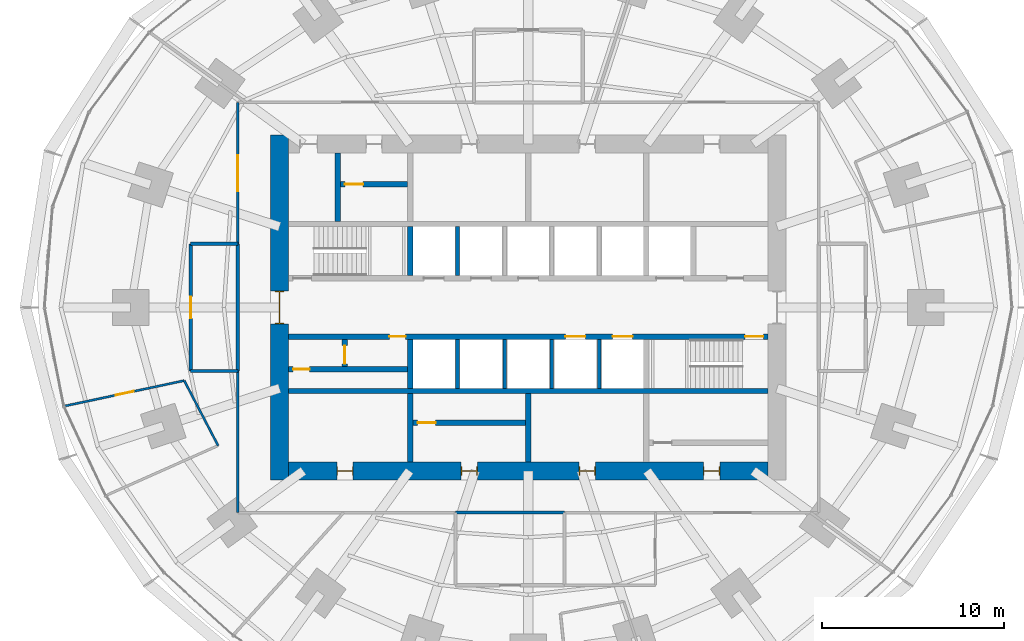
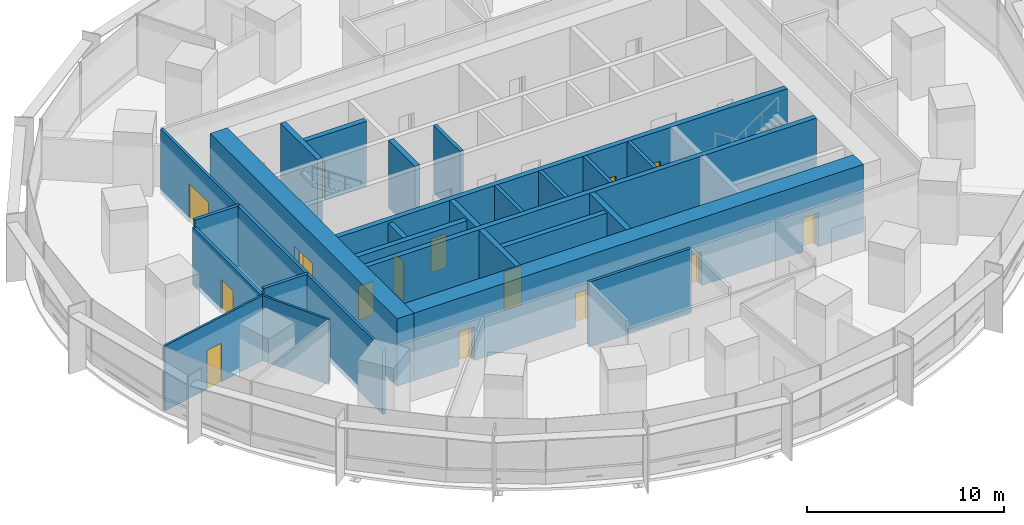
# One storey, part 11 of 15: 27 walls, 16 doors, 16 openings.
"""IFC4 building model written with IfcOpenShell, lengths in metres."""

from ifc_helpers import new_model, si_unit, direction, frame, frame_2d, origin, place, context, subcontext, project, spatial, rectangle, extrude, material, layer, layer_set, type_object, element, fill, save


model = new_model("IFC4")

# Units and contexts
model_context = context("Model", 3, precision=1e-05, world=origin(), true_north=direction((0.0, 1.0)))
body_context = subcontext(model_context, "Body", "Model", "MODEL_VIEW")
ifc_project = project(units=[si_unit("LENGTHUNIT", "METRE"), si_unit("AREAUNIT", "SQUARE_METRE"), si_unit("VOLUMEUNIT", "CUBIC_METRE"), si_unit("PLANEANGLEUNIT", "RADIAN"), si_unit("MASSUNIT", "GRAM", prefix="KILO")], contexts=[model_context])

# Site, building, storey
site_placement = place(None, origin())
site = spatial("IfcSite", under=ifc_project, at=site_placement, CompositionType="ELEMENT")
building_placement = place(site_placement, origin())
building = spatial("IfcBuilding", under=site, at=building_placement, Name="Marramba Exchange Tower", CompositionType="ELEMENT")
storey_placement = place(building_placement, frame((0.0, 0.0, 65.800048828125)))
storey = spatial("IfcBuildingStorey", under=building, at=storey_placement, Name="L15", CompositionType="ELEMENT", Elevation=65.800048828125)

# Walls
ifc_material_1 = material(Name="Plasterboard on staggered double steel studs, acoustic insulation", Category="steel")
ifc_layer_1 = layer(ifc_material_1, 0.169921875)
ifc_layer_set_1 = layer_set([ifc_layer_1], Name="Acoustic partition 170")
wall_type_1 = type_object("IfcWallType", Name="Acoustic partition 170", PredefinedType="PARTITIONING", material=ifc_layer_set_1)
wall_1_placement = place(storey_placement, frame((2.0, -11.300048828125, 0.0), z_axis=(0.0, 0.0, 1.0), x_axis=(-1.0, 0.0, 0.0)))
element("IfcWall", 1, at=wall_1_placement, inside=storey, type_object=wall_type_1, Name="Acoustic partition L15 09", PredefinedType="PARTITIONING", context=body_context, shape_type="SweptSolid", body=[
    extrude(rectangle(XDim=6.0, YDim=0.169921875, at=frame_2d((3.0, 0.0))), origin(), (0.0, 0.0, 1.0), 4.0400390625),
])
ifc_material_2 = material(Name="Concrete N50", Category="concrete")
ifc_layer_2 = layer(ifc_material_2, 0.199951171875)
ifc_layer_set_2 = layer_set([ifc_layer_2], Name="Core shaft wall 200")
wall_type_2 = type_object("IfcWallType", Name="Core shaft wall 200", PredefinedType="SHEAR", material=ifc_layer_set_2)
for number, where, z_axis, x_axis, name in (
    (2, (-3.89990234375, 1.75, 0.0), (0.0, 0.0, 1.0), (0.0, 1.0, 0.0), "Core wall SHN1 L15"),
    (3, (-3.89990234375, -1.75, 0.0), (0.0, 0.0, 1.0), (0.0, -1.0, 0.0), "Core wall SHS1 L15"),
    (4, (-1.300048828125, -1.75, 0.0), (0.0, 0.0, 1.0), (0.0, -1.0, 0.0), "Core wall SHS2 L15"),
    (5, (1.300048828125, -1.75, 0.0), (0.0, 0.0, 1.0), (0.0, -1.0, 0.0), "Core wall SHS3 L15"),
    (6, (3.89990234375, -1.75, 0.0), (0.0, 0.0, 1.0), (0.0, -1.0, 0.0), "Core wall SHS4 L15"),
):
    element("IfcWall", number, at=place(storey_placement, frame(where, z_axis=z_axis, x_axis=x_axis)), inside=storey, type_object=wall_type_2, Name=name, PredefinedType="SHEAR", context=body_context, shape_type="SweptSolid", body=[
        extrude(rectangle(XDim=2.699951171875, YDim=0.199951171875, at=frame_2d((1.35009765625, 0.0))), origin(), (0.0, 0.0, 1.0), 4.199951171875),
    ])

# Wall, openings, doors
ifc_layer_3 = layer(ifc_material_2, 1.0)
ifc_layer_set_3 = layer_set([ifc_layer_3], Name="Core wall 1000")
wall_type_3 = type_object("IfcWallType", Name="Core wall 1000", PredefinedType="SHEAR", material=ifc_layer_set_3)
wall_2_placement = place(storey_placement, frame((-13.199951171875, -9.0, 0.0), z_axis=(0.0, 0.0, 1.0), x_axis=(1.0, 0.0, 0.0)))
wall_2 = element("IfcWall", 7, at=wall_2_placement, inside=storey, type_object=wall_type_3, Name="Core wall S L15", PredefinedType="SHEAR", context=body_context, shape_type="SweptSolid", body=[
    extrude(rectangle(XDim=26.39990234375, YDim=1.0, at=frame_2d((13.199951171875, 0.0))), origin(), (0.0, 0.0, 1.0), 4.199951171875),
])
opening_1_placement = place(wall_2_placement, frame((2.64990234375, 0.0, 0.0)))
opening_1 = element("IfcOpeningElement", 8, at=opening_1_placement, cuts=wall_2, Name="Opening D5", PredefinedType="OPENING", context=body_context, shape_type="SweptSolid", body=[
    extrude(rectangle(XDim=0.89990234375, YDim=2.10009765625, at=frame_2d((0.449951171875, 1.050048828125))), frame((0.0, 0.510009765625, 0.0), z_axis=(0.0, -1.0, 0.0), x_axis=(1.0, 0.0, 0.0)), (0.0, 0.0, 1.0), 1.02001953125),
])
opening_2_placement = place(wall_2_placement, frame((9.5, 0.0, 0.0)))
opening_2 = element("IfcOpeningElement", 9, at=opening_2_placement, cuts=wall_2, Name="Opening D5", PredefinedType="OPENING", context=body_context, shape_type="SweptSolid", body=[
    extrude(rectangle(XDim=0.89990234375, YDim=2.10009765625, at=frame_2d((0.449951171875, 1.050048828125))), frame((0.0, 0.510009765625, 0.0), z_axis=(0.0, -1.0, 0.0), x_axis=(1.0, 0.0, 0.0)), (0.0, 0.0, 1.0), 1.02001953125),
])
opening_3_placement = place(wall_2_placement, frame((16.0, 0.0, 0.0)))
opening_3 = element("IfcOpeningElement", 10, at=opening_3_placement, cuts=wall_2, Name="Opening D5", PredefinedType="OPENING", context=body_context, shape_type="SweptSolid", body=[
    extrude(rectangle(XDim=0.89990234375, YDim=2.10009765625, at=frame_2d((0.449951171875, 1.050048828125))), frame((0.0, 0.510009765625, 0.0), z_axis=(0.0, -1.0, 0.0), x_axis=(1.0, 0.0, 0.0)), (0.0, 0.0, 1.0), 1.02001953125),
])
opening_4_placement = place(wall_2_placement, frame((22.85009765625, 0.0, 0.0)))
opening_4 = element("IfcOpeningElement", 11, at=opening_4_placement, cuts=wall_2, Name="Opening D5", PredefinedType="OPENING", context=body_context, shape_type="SweptSolid", body=[
    extrude(rectangle(XDim=0.89990234375, YDim=2.10009765625, at=frame_2d((0.449951171875, 1.050048828125))), frame((0.0, 0.510009765625, 0.0), z_axis=(0.0, -1.0, 0.0), x_axis=(1.0, 0.0, 0.0)), (0.0, 0.0, 1.0), 1.02001953125),
])
ifc_material_3 = material(Name="Steel-framed door", Category="steel")
door_type_1 = type_object("IfcDoorType", Name="Service door 900x2100", OperationType="SINGLE_SWING_LEFT", PredefinedType="DOOR", material=ifc_material_3)
door_1_placement = place(opening_1_placement, origin())
door_1 = element("IfcDoor", 12, at=door_1_placement, inside=storey, type_object=door_type_1, Name="D5 ahu L15", OperationType="SINGLE_SWING_LEFT", OverallHeight=2.10009765625, OverallWidth=0.89990234375, PredefinedType="DOOR", context=body_context, shape_type="SweptSolid", body=[
    extrude(rectangle(XDim=0.81982421875, YDim=2.06005859375, at=frame_2d((0.449951171875, 1.030029296875))), frame((0.0, 0.02490234375, 0.0), z_axis=(0.0, -1.0, 0.0), x_axis=(1.0, 0.0, 0.0)), (0.0, 0.0, 1.0), 0.050048828125),
    extrude(rectangle(XDim=0.04, YDim=2.10009765625, at=frame_2d((0.02001953125, 1.050048828125))), frame((0.0, 0.25, 0.0), z_axis=(0.0, -1.0, 0.0), x_axis=(1.0, 0.0, 0.0)), (0.0, 0.0, 1.0), 0.5),
    extrude(rectangle(XDim=0.04, YDim=2.10009765625, at=frame_2d((0.8798828125, 1.050048828125))), frame((0.0, 0.25, 0.0), z_axis=(0.0, -1.0, 0.0), x_axis=(1.0, 0.0, 0.0)), (0.0, 0.0, 1.0), 0.5),
    extrude(rectangle(XDim=0.81982421875, YDim=0.04, at=frame_2d((0.449951171875, 2.080078125))), frame((0.0, 0.25, 0.0), z_axis=(0.0, -1.0, 0.0), x_axis=(1.0, 0.0, 0.0)), (0.0, 0.0, 1.0), 0.5),
])
fill(opening_1, door_1)
door_2_placement = place(opening_2_placement, origin())
door_2 = element("IfcDoor", 13, at=door_2_placement, inside=storey, type_object=door_type_1, Name="D5 store L15", OperationType="SINGLE_SWING_RIGHT", OverallHeight=2.10009765625, OverallWidth=0.89990234375, PredefinedType="DOOR", context=body_context, shape_type="SweptSolid", body=[
    extrude(rectangle(XDim=0.81982421875, YDim=2.06005859375, at=frame_2d((0.449951171875, 1.030029296875))), frame((0.0, 0.02490234375, 0.0), z_axis=(0.0, -1.0, 0.0), x_axis=(1.0, 0.0, 0.0)), (0.0, 0.0, 1.0), 0.050048828125),
    extrude(rectangle(XDim=0.04, YDim=2.10009765625, at=frame_2d((0.02001953125, 1.050048828125))), frame((0.0, 0.25, 0.0), z_axis=(0.0, -1.0, 0.0), x_axis=(1.0, 0.0, 0.0)), (0.0, 0.0, 1.0), 0.5),
    extrude(rectangle(XDim=0.04, YDim=2.10009765625, at=frame_2d((0.8798828125, 1.050048828125))), frame((0.0, 0.25, 0.0), z_axis=(0.0, -1.0, 0.0), x_axis=(1.0, 0.0, 0.0)), (0.0, 0.0, 1.0), 0.5),
    extrude(rectangle(XDim=0.81982421875, YDim=0.04, at=frame_2d((0.449951171875, 2.080078125))), frame((0.0, 0.25, 0.0), z_axis=(0.0, -1.0, 0.0), x_axis=(1.0, 0.0, 0.0)), (0.0, 0.0, 1.0), 0.5),
])
fill(opening_2, door_2)
door_3_placement = place(opening_3_placement, origin())
door_3 = element("IfcDoor", 14, at=door_3_placement, inside=storey, type_object=door_type_1, Name="D5 switch L15", OperationType="SINGLE_SWING_RIGHT", OverallHeight=2.10009765625, OverallWidth=0.89990234375, PredefinedType="DOOR", context=body_context, shape_type="SweptSolid", body=[
    extrude(rectangle(XDim=0.81982421875, YDim=2.06005859375, at=frame_2d((0.449951171875, 1.030029296875))), frame((0.0, 0.02490234375, 0.0), z_axis=(0.0, -1.0, 0.0), x_axis=(1.0, 0.0, 0.0)), (0.0, 0.0, 1.0), 0.050048828125),
    extrude(rectangle(XDim=0.04, YDim=2.10009765625, at=frame_2d((0.02001953125, 1.050048828125))), frame((0.0, 0.25, 0.0), z_axis=(0.0, -1.0, 0.0), x_axis=(1.0, 0.0, 0.0)), (0.0, 0.0, 1.0), 0.5),
    extrude(rectangle(XDim=0.04, YDim=2.10009765625, at=frame_2d((0.8798828125, 1.050048828125))), frame((0.0, 0.25, 0.0), z_axis=(0.0, -1.0, 0.0), x_axis=(1.0, 0.0, 0.0)), (0.0, 0.0, 1.0), 0.5),
    extrude(rectangle(XDim=0.81982421875, YDim=0.04, at=frame_2d((0.449951171875, 2.080078125))), frame((0.0, 0.25, 0.0), z_axis=(0.0, -1.0, 0.0), x_axis=(1.0, 0.0, 0.0)), (0.0, 0.0, 1.0), 0.5),
])
fill(opening_3, door_3)
door_4_placement = place(opening_4_placement, origin())
door_4 = element("IfcDoor", 15, at=door_4_placement, inside=storey, type_object=door_type_1, Name="D5 cstore L15", OperationType="SINGLE_SWING_RIGHT", OverallHeight=2.10009765625, OverallWidth=0.89990234375, PredefinedType="DOOR", context=body_context, shape_type="SweptSolid", body=[
    extrude(rectangle(XDim=0.81982421875, YDim=2.06005859375, at=frame_2d((0.449951171875, 1.030029296875))), frame((0.0, 0.02490234375, 0.0), z_axis=(0.0, -1.0, 0.0), x_axis=(1.0, 0.0, 0.0)), (0.0, 0.0, 1.0), 0.050048828125),
    extrude(rectangle(XDim=0.04, YDim=2.10009765625, at=frame_2d((0.02001953125, 1.050048828125))), frame((0.0, 0.25, 0.0), z_axis=(0.0, -1.0, 0.0), x_axis=(1.0, 0.0, 0.0)), (0.0, 0.0, 1.0), 0.5),
    extrude(rectangle(XDim=0.04, YDim=2.10009765625, at=frame_2d((0.8798828125, 1.050048828125))), frame((0.0, 0.25, 0.0), z_axis=(0.0, -1.0, 0.0), x_axis=(1.0, 0.0, 0.0)), (0.0, 0.0, 1.0), 0.5),
    extrude(rectangle(XDim=0.81982421875, YDim=0.04, at=frame_2d((0.449951171875, 2.080078125))), frame((0.0, 0.25, 0.0), z_axis=(0.0, -1.0, 0.0), x_axis=(1.0, 0.0, 0.0)), (0.0, 0.0, 1.0), 0.5),
])
fill(opening_4, door_4)

# Wall, opening, door
wall_3_placement = place(storey_placement, frame((-13.699951171875, 9.5, 0.0), z_axis=(0.0, 0.0, 1.0), x_axis=(0.0, -1.0, 0.0)))
wall_3 = element("IfcWall", 16, at=wall_3_placement, inside=storey, type_object=wall_type_3, Name="Core wall W L15", PredefinedType="SHEAR", context=body_context, shape_type="SweptSolid", body=[
    extrude(rectangle(XDim=19.0, YDim=1.0, at=frame_2d((9.5, 0.0))), origin(), (0.0, 0.0, 1.0), 4.199951171875),
])
opening_5_placement = place(wall_3_placement, frame((8.60009765625, 0.0, 0.0)))
opening_5 = element("IfcOpeningElement", 17, at=opening_5_placement, cuts=wall_3, Name="Opening D1", PredefinedType="OPENING", context=body_context, shape_type="SweptSolid", body=[
    extrude(rectangle(XDim=1.800048828125, YDim=2.39990234375, at=frame_2d((0.89990234375, 1.199951171875))), frame((0.0, 0.510009765625, 0.0), z_axis=(0.0, -1.0, 0.0), x_axis=(1.0, 0.0, 0.0)), (0.0, 0.0, 1.0), 1.02001953125),
])
door_type_2 = type_object("IfcDoorType", Name="Lobby exit door 1800x2400", OperationType="DOUBLE_DOOR_SINGLE_SWING", PredefinedType="DOOR", material=ifc_material_3)
door_5_placement = place(opening_5_placement, origin())
door_5 = element("IfcDoor", 18, at=door_5_placement, inside=storey, type_object=door_type_2, Name="D1 lobby exit west L15", OperationType="DOUBLE_DOOR_SINGLE_SWING", OverallHeight=2.39990234375, OverallWidth=1.800048828125, PredefinedType="DOOR", context=body_context, shape_type="SweptSolid", body=[
    extrude(rectangle(XDim=1.719970703125, YDim=2.35986328125, at=frame_2d((0.89990234375, 1.179931640625))), frame((0.0, 0.02490234375, 0.0), z_axis=(0.0, -1.0, 0.0), x_axis=(1.0, 0.0, 0.0)), (0.0, 0.0, 1.0), 0.050048828125),
    extrude(rectangle(XDim=0.04, YDim=2.39990234375, at=frame_2d((0.02001953125, 1.199951171875))), frame((0.0, 0.25, 0.0), z_axis=(0.0, -1.0, 0.0), x_axis=(1.0, 0.0, 0.0)), (0.0, 0.0, 1.0), 0.5),
    extrude(rectangle(XDim=0.04, YDim=2.39990234375, at=frame_2d((1.780029296875, 1.199951171875))), frame((0.0, 0.25, 0.0), z_axis=(0.0, -1.0, 0.0), x_axis=(1.0, 0.0, 0.0)), (0.0, 0.0, 1.0), 0.5),
    extrude(rectangle(XDim=1.719970703125, YDim=0.04, at=frame_2d((0.89990234375, 2.3798828125))), frame((0.0, 0.25, 0.0), z_axis=(0.0, -1.0, 0.0), x_axis=(1.0, 0.0, 0.0)), (0.0, 0.0, 1.0), 0.5),
])
fill(opening_5, door_5)

# Wall, openings, doors
ifc_layer_4 = layer(ifc_material_2, 0.300048828125)
ifc_layer_set_4 = layer_set([ifc_layer_4], Name="Core wall 300")
wall_type_4 = type_object("IfcWallType", Name="Core wall 300", PredefinedType="SHEAR", material=ifc_layer_set_4)
wall_4_placement = place(storey_placement, frame((-13.199951171875, -1.60009765625, 0.0), z_axis=(0.0, 0.0, 1.0), x_axis=(1.0, 0.0, 0.0)))
wall_4 = element("IfcWall", 19, at=wall_4_placement, inside=storey, type_object=wall_type_4, Name="Core wall LS L15", PredefinedType="SHEAR", context=body_context, shape_type="SweptSolid", body=[
    extrude(rectangle(XDim=26.39990234375, YDim=0.300048828125, at=frame_2d((13.199951171875, 0.0))), origin(), (0.0, 0.0, 1.0), 4.199951171875),
])
opening_6_placement = place(wall_4_placement, frame((25.14990234375, 0.0, 0.0)))
opening_6 = element("IfcOpeningElement", 20, at=opening_6_placement, cuts=wall_4, Name="Opening D2", PredefinedType="OPENING", context=body_context, shape_type="SweptSolid", body=[
    extrude(rectangle(XDim=1.0, YDim=2.10009765625, at=frame_2d((0.5, 1.050048828125))), frame((0.0, 0.159912109375, 0.0), z_axis=(0.0, -1.0, 0.0), x_axis=(1.0, 0.0, 0.0)), (0.0, 0.0, 1.0), 0.320068359375),
])
opening_7_placement = place(wall_4_placement, frame((15.25, 0.0, 0.0)))
opening_7 = element("IfcOpeningElement", 21, at=opening_7_placement, cuts=wall_4, Name="Opening LD2", PredefinedType="OPENING", context=body_context, shape_type="SweptSolid", body=[
    extrude(rectangle(XDim=1.10009765625, YDim=2.300048828125, at=frame_2d((0.550048828125, 1.14990234375))), frame((0.0, 0.159912109375, 0.0), z_axis=(0.0, -1.0, 0.0), x_axis=(1.0, 0.0, 0.0)), (0.0, 0.0, 1.0), 0.320068359375),
])
opening_8_placement = place(wall_4_placement, frame((17.85009765625, 0.0, 0.0)))
opening_8 = element("IfcOpeningElement", 22, at=opening_8_placement, cuts=wall_4, Name="Opening LD2", PredefinedType="OPENING", context=body_context, shape_type="SweptSolid", body=[
    extrude(rectangle(XDim=1.10009765625, YDim=2.300048828125, at=frame_2d((0.550048828125, 1.14990234375))), frame((0.0, 0.159912109375, 0.0), z_axis=(0.0, -1.0, 0.0), x_axis=(1.0, 0.0, 0.0)), (0.0, 0.0, 1.0), 0.320068359375),
])
opening_9_placement = place(wall_4_placement, frame((5.550048828125, 0.0, 0.0)))
opening_9 = element("IfcOpeningElement", 23, at=opening_9_placement, cuts=wall_4, Name="Opening D5", PredefinedType="OPENING", context=body_context, shape_type="SweptSolid", body=[
    extrude(rectangle(XDim=0.89990234375, YDim=2.10009765625, at=frame_2d((0.449951171875, 1.050048828125))), frame((0.0, 0.159912109375, 0.0), z_axis=(0.0, -1.0, 0.0), x_axis=(1.0, 0.0, 0.0)), (0.0, 0.0, 1.0), 0.320068359375),
])
door_type_3 = type_object("IfcDoorType", Name="Emergency lift landing door 1100x2300", OperationType="SLIDING_TO_LEFT", PredefinedType="DOOR", material=ifc_material_3)
door_6_placement = place(opening_7_placement, frame((1.10009765625, 0.0, 0.0), z_axis=(0.0, 0.0, 1.0), x_axis=(-1.0, 0.0, 0.0)))
door_6 = element("IfcDoor", 24, at=door_6_placement, inside=storey, type_object=door_type_3, Name="FL1 landing door L15", OperationType="SLIDING_TO_RIGHT", OverallHeight=2.300048828125, OverallWidth=1.10009765625, PredefinedType="DOOR", context=body_context, shape_type="SweptSolid", body=[
    extrude(rectangle(XDim=1.10009765625, YDim=2.300048828125, at=frame_2d((0.550048828125, 1.14990234375))), frame((0.0, 0.025146484375, 0.0), z_axis=(0.0, -1.0, 0.0), x_axis=(1.0, 0.0, 0.0)), (0.0, 0.0, 1.0), 0.050048828125),
])
fill(opening_7, door_6)
door_7_placement = place(opening_8_placement, frame((1.10009765625, 0.0, 0.0), z_axis=(0.0, 0.0, 1.0), x_axis=(-1.0, 0.0, 0.0)))
door_7 = element("IfcDoor", 25, at=door_7_placement, inside=storey, type_object=door_type_3, Name="FL2 landing door L15", OperationType="SLIDING_TO_LEFT", OverallHeight=2.300048828125, OverallWidth=1.10009765625, PredefinedType="DOOR", context=body_context, shape_type="SweptSolid", body=[
    extrude(rectangle(XDim=1.10009765625, YDim=2.300048828125, at=frame_2d((0.550048828125, 1.14990234375))), frame((0.0, 0.025146484375, 0.0), z_axis=(0.0, -1.0, 0.0), x_axis=(1.0, 0.0, 0.0)), (0.0, 0.0, 1.0), 0.050048828125),
])
fill(opening_8, door_7)
door_8_placement = place(opening_9_placement, frame((0.89990234375, 0.0, 0.0), z_axis=(0.0, 0.0, 1.0), x_axis=(-1.0, 0.0, 0.0)))
door_8 = element("IfcDoor", 26, at=door_8_placement, inside=storey, type_object=door_type_1, Name="D5 electrical riser L15", OperationType="SINGLE_SWING_LEFT", OverallHeight=2.10009765625, OverallWidth=0.89990234375, PredefinedType="DOOR", context=body_context, shape_type="SweptSolid", body=[
    extrude(rectangle(XDim=0.89990234375, YDim=2.10009765625, at=frame_2d((0.449951171875, 1.050048828125))), frame((0.0, 0.025146484375, 0.0), z_axis=(0.0, -1.0, 0.0), x_axis=(1.0, 0.0, 0.0)), (0.0, 0.0, 1.0), 0.050048828125),
])
fill(opening_9, door_8)
door_type_4 = type_object("IfcDoorType", Name="Stair door 1000x2100", OperationType="SINGLE_SWING_LEFT", PredefinedType="DOOR", material=ifc_material_3)
door_9_placement = place(opening_6_placement, frame((1.0, 0.0, 0.0), z_axis=(0.0, 0.0, 1.0), x_axis=(-1.0, 0.0, 0.0)))
door_9 = element("IfcDoor", 27, at=door_9_placement, inside=storey, type_object=door_type_4, Name="D2 stair ST2 L15", OperationType="SINGLE_SWING_LEFT", OverallHeight=2.10009765625, OverallWidth=1.0, PredefinedType="DOOR", context=body_context, shape_type="SweptSolid", body=[
    extrude(rectangle(XDim=1.0, YDim=2.10009765625, at=frame_2d((0.5, 1.050048828125))), frame((0.0, 0.025146484375, 0.0), z_axis=(0.0, -1.0, 0.0), x_axis=(1.0, 0.0, 0.0)), (0.0, 0.0, 1.0), 0.050048828125),
])
fill(opening_6, door_9)

# Walls
wall_5_placement = place(storey_placement, frame((-13.199951171875, -4.60009765625, 0.0), z_axis=(0.0, 0.0, 1.0), x_axis=(1.0, 0.0, 0.0)))
element("IfcWall", 28, at=wall_5_placement, inside=storey, type_object=wall_type_4, Name="Core wall BS L15", PredefinedType="SHEAR", context=body_context, shape_type="SweptSolid", body=[
    extrude(rectangle(XDim=26.39990234375, YDim=0.300048828125, at=frame_2d((13.199951171875, 0.0))), origin(), (0.0, 0.0, 1.0), 4.199951171875),
])
for number, where, z_axis, x_axis, name in (
    (29, (-6.5, 1.75, 0.0), (0.0, 0.0, 1.0), (0.0, 1.0, 0.0), "Core wall X0Na L15"),
    (30, (-6.5, -1.75, 0.0), (0.0, 0.0, 1.0), (0.0, -1.0, 0.0), "Core wall X0Sa L15"),
):
    element("IfcWall", number, at=place(storey_placement, frame(where, z_axis=z_axis, x_axis=x_axis)), inside=storey, type_object=wall_type_4, Name=name, PredefinedType="SHEAR", context=body_context, shape_type="SweptSolid", body=[
        extrude(rectangle(XDim=2.699951171875, YDim=0.300048828125, at=frame_2d((1.35009765625, 0.0))), origin(), (0.0, 0.0, 1.0), 4.199951171875),
    ])
for number, where, z_axis, x_axis, name in (
    (31, (-6.5, -4.75, 0.0), (0.0, 0.0, 1.0), (0.0, -1.0, 0.0), "Core wall X0Sb L15"),
    (32, (0.0, -4.75, 0.0), (0.0, 0.0, 1.0), (0.0, -1.0, 0.0), "Core wall MS L15"),
    (33, (-10.5, 4.75, 0.0), (0.0, 0.0, 1.0), (0.0, 1.0, 0.0), "Core wall WD L15"),
):
    element("IfcWall", number, at=place(storey_placement, frame(where, z_axis=z_axis, x_axis=x_axis)), inside=storey, type_object=wall_type_4, Name=name, PredefinedType="SHEAR", context=body_context, shape_type="SweptSolid", body=[
        extrude(rectangle(XDim=3.75, YDim=0.300048828125, at=frame_2d((1.875, 0.0))), origin(), (0.0, 0.0, 1.0), 4.199951171875),
    ])
ifc_material_4 = material(Name="Core-filled concrete blockwork, rendered", Category="masonry")
ifc_layer_5 = layer(ifc_material_4, 0.18994140625)
ifc_layer_set_5 = layer_set([ifc_layer_5], Name="Equipment room wall 190")
wall_type_5 = type_object("IfcWallType", Name="Equipment room wall 190", PredefinedType="SOLIDWALL", material=ifc_layer_set_5)
for number, where, z_axis, x_axis, name in (
    (34, (-18.60009765625, -3.5, 0.0), (0.0, 0.0, 1.0), (1.0, 0.0, 0.0), "Equipment room wall L15 01"),
    (35, (-16.0, 3.5, 0.0), (0.0, 0.0, 1.0), (-1.0, 0.0, 0.0), "Equipment room wall L15 40"),
):
    element("IfcWall", number, at=place(storey_placement, frame(where, z_axis=z_axis, x_axis=x_axis)), inside=storey, type_object=wall_type_5, Name=name, PredefinedType="SOLIDWALL", context=body_context, shape_type="SweptSolid", body=[
        extrude(rectangle(XDim=2.60009765625, YDim=0.18994140625, at=frame_2d((1.300048828125, 0.0))), origin(), (0.0, 0.0, 1.0), 4.0400390625),
    ])

# Wall, opening, door
wall_6_placement = place(storey_placement, frame((-18.60009765625, 3.5, 0.0), z_axis=(0.0, 0.0, 1.0), x_axis=(0.0, -1.0, 0.0)))
wall_6 = element("IfcWall", 36, at=wall_6_placement, inside=storey, type_object=wall_type_5, Name="Equipment room wall L15 41", PredefinedType="SOLIDWALL", context=body_context, shape_type="SweptSolid", body=[
    extrude(rectangle(XDim=7.0, YDim=0.18994140625, at=frame_2d((3.5, 0.0))), origin(), (0.0, 0.0, 1.0), 3.5859375),
])
opening_10_placement = place(wall_6_placement, frame((2.89990234375, 0.0, 0.0)))
opening_10 = element("IfcOpeningElement", 37, at=opening_10_placement, cuts=wall_6, Name="Opening D16", PredefinedType="OPENING", context=body_context, shape_type="SweptSolid", body=[
    extrude(rectangle(XDim=1.199951171875, YDim=2.10009765625, at=frame_2d((0.60009765625, 1.050048828125))), frame((0.0, 0.10498046875, 0.0), z_axis=(0.0, -1.0, 0.0), x_axis=(1.0, 0.0, 0.0)), (0.0, 0.0, 1.0), 0.2099609375),
])
door_type_5 = type_object("IfcDoorType", Name="Equipment room door 1200x2100", OperationType="SINGLE_SWING_LEFT", PredefinedType="DOOR", material=ifc_material_3)
door_10_placement = place(opening_10_placement, origin())
door_10 = element("IfcDoor", 38, at=door_10_placement, inside=storey, type_object=door_type_5, Name="D16 Data Room 2 L15", OperationType="SINGLE_SWING_RIGHT", OverallHeight=2.10009765625, OverallWidth=1.199951171875, PredefinedType="DOOR", context=body_context, shape_type="SweptSolid", body=[
    extrude(rectangle(XDim=1.199951171875, YDim=2.10009765625, at=frame_2d((0.60009765625, 1.050048828125))), frame((0.0, 0.02490234375, 0.0), z_axis=(0.0, -1.0, 0.0), x_axis=(1.0, 0.0, 0.0)), (0.0, 0.0, 1.0), 0.050048828125),
])
fill(opening_10, door_10)

# Wall
wall_7_placement = place(storey_placement, frame((-16.0, -3.5, 0.0), z_axis=(0.0, 0.0, 1.0), x_axis=(0.0, 1.0, 0.0)))
element("IfcWall", 39, at=wall_7_placement, inside=storey, type_object=wall_type_5, Name="Equipment room wall L15 42", PredefinedType="SOLIDWALL", context=body_context, shape_type="SweptSolid", body=[
    extrude(rectangle(XDim=7.0, YDim=0.18994140625, at=frame_2d((3.5, 0.0))), origin(), (0.0, 0.0, 1.0), 4.0400390625),
])

# Wall, opening, door
ifc_material_5 = material(Name="Plasterboard on steel studs", Category="steel")
ifc_layer_6 = layer(ifc_material_5, 0.1201171875)
ifc_layer_set_6 = layer_set([ifc_layer_6], Name="Partition 120")
wall_type_6 = type_object("IfcWallType", Name="Partition 120", PredefinedType="PARTITIONING", material=ifc_layer_set_6)
wall_8_placement = place(storey_placement, frame((-18.952880859375, -4.028564453125, 0.0), z_axis=(0.0, 0.0, 1.0), x_axis=(-0.978145049807, -0.207923691622, 0.0)))
wall_8 = element("IfcWall", 40, at=wall_8_placement, inside=storey, type_object=wall_type_6, Name="Partition L15 02", PredefinedType="PARTITIONING", context=body_context, shape_type="SweptSolid", body=[
    extrude(rectangle(XDim=6.699951171875, YDim=0.1201171875, at=frame_2d((3.35009765625, 0.0))), origin(), (0.0, 0.0, 1.0), 4.0400390625),
])
opening_11_placement = place(wall_8_placement, frame((2.85009765625, 0.0, 0.0)))
opening_11 = element("IfcOpeningElement", 41, at=opening_11_placement, cuts=wall_8, Name="Opening D9", PredefinedType="OPENING", context=body_context, shape_type="SweptSolid", body=[
    extrude(rectangle(XDim=1.0, YDim=2.39990234375, at=frame_2d((0.5, 1.199951171875))), frame((0.0, 0.070068359375, 0.0), z_axis=(0.0, -1.0, 0.0), x_axis=(1.0, 0.0, 0.0)), (0.0, 0.0, 1.0), 0.14013671875),
])
ifc_material_6 = material(Name="Timber door", Category="wood")
door_type_6 = type_object("IfcDoorType", Name="Room door 1000x2400", OperationType="SINGLE_SWING_LEFT", PredefinedType="DOOR", material=ifc_material_6)
door_11_placement = place(opening_11_placement, origin())
door_11 = element("IfcDoor", 42, at=door_11_placement, inside=storey, type_object=door_type_6, Name="D9 Firm Principal Office 2 L15", OperationType="SINGLE_SWING_RIGHT", OverallHeight=2.39990234375, OverallWidth=1.0, PredefinedType="DOOR", context=body_context, shape_type="SweptSolid", body=[
    extrude(rectangle(XDim=1.0, YDim=2.39990234375, at=frame_2d((0.5, 1.199951171875))), frame((0.0, 0.02490234375, 0.0), z_axis=(0.0, -1.0, 0.0), x_axis=(1.0, 0.0, 0.0)), (0.0, 0.0, 1.0), 0.050048828125),
])
fill(opening_11, door_11)

# Wall
wall_9_placement = place(storey_placement, frame((-17.08740234375, -7.60791015625, 0.0), z_axis=(0.0, 0.0, 1.0), x_axis=(-0.462175272874, 0.886788597775, 0.0)))
element("IfcWall", 43, at=wall_9_placement, inside=storey, type_object=wall_type_6, Name="Partition L15 03", PredefinedType="PARTITIONING", context=body_context, shape_type="SweptSolid", body=[
    extrude(rectangle(XDim=4.036376953125, YDim=0.1201171875, at=frame_2d((2.01806640625, 0.0))), origin(), (0.0, 0.0, 1.0), 4.0400390625),
])

# Wall, opening, door
ifc_material_7 = material(Name="Core-filled concrete blockwork", Category="masonry")
ifc_layer_7 = layer(ifc_material_7, 0.300048828125)
ifc_layer_set_7 = layer_set([ifc_layer_7], Name="Riser enclosure wall 300")
wall_type_7 = type_object("IfcWallType", Name="Riser enclosure wall 300", PredefinedType="SOLIDWALL", material=ifc_layer_set_7)
wall_10_placement = place(storey_placement, frame((-13.199951171875, -3.39990234375, 0.0), z_axis=(0.0, 0.0, 1.0), x_axis=(1.0, 0.0, 0.0)))
wall_10 = element("IfcWall", 44, at=wall_10_placement, inside=storey, type_object=wall_type_7, Name="Riser enclosure wall L15", PredefinedType="SOLIDWALL", context=body_context, shape_type="SweptSolid", body=[
    extrude(rectangle(XDim=6.550048828125, YDim=0.300048828125, at=frame_2d((3.27490234375, 0.0))), origin(), (0.0, 0.0, 1.0), 4.0400390625),
])
opening_12_placement = place(wall_10_placement, frame((0.25, 0.0, 0.0)))
opening_12 = element("IfcOpeningElement", 45, at=opening_12_placement, cuts=wall_10, Name="Opening D5", PredefinedType="OPENING", context=body_context, shape_type="SweptSolid", body=[
    extrude(rectangle(XDim=0.89990234375, YDim=2.10009765625, at=frame_2d((0.449951171875, 1.050048828125))), frame((0.0, 0.159912109375, 0.0), z_axis=(0.0, -1.0, 0.0), x_axis=(1.0, 0.0, 0.0)), (0.0, 0.0, 1.0), 0.320068359375),
])
door_12_placement = place(opening_12_placement, origin())
door_12 = element("IfcDoor", 46, at=door_12_placement, inside=storey, type_object=door_type_1, Name="D5 electrical riser back L15", OperationType="SINGLE_SWING_LEFT", OverallHeight=2.10009765625, OverallWidth=0.89990234375, PredefinedType="DOOR", context=body_context, shape_type="SweptSolid", body=[
    extrude(rectangle(XDim=0.89990234375, YDim=2.10009765625, at=frame_2d((0.449951171875, 1.050048828125))), frame((0.0, 0.02490234375, 0.0), z_axis=(0.0, -1.0, 0.0), x_axis=(1.0, 0.0, 0.0)), (0.0, 0.0, 1.0), 0.050048828125),
])
fill(opening_12, door_12)

ifc_material_8 = material(Name="Plasterboard on steel studs, insulated, unrated", Category="steel")
ifc_layer_8 = layer(ifc_material_8, 0.300048828125)
ifc_layer_set_8 = layer_set([ifc_layer_8], Name="Store partition 300")
wall_type_8 = type_object("IfcWallType", Name="Store partition 300", PredefinedType="PARTITIONING", material=ifc_layer_set_8)
wall_11_placement = place(storey_placement, frame((-10.35009765625, 6.800048828125, 0.0), z_axis=(0.0, 0.0, 1.0), x_axis=(1.0, 0.0, 0.0)))
wall_11 = element("IfcWall", 47, at=wall_11_placement, inside=storey, type_object=wall_type_8, Name="Store partition L15 cleaner", PredefinedType="PARTITIONING", context=body_context, shape_type="SweptSolid", body=[
    extrude(rectangle(XDim=3.7001953125, YDim=0.300048828125, at=frame_2d((1.85009765625, 0.0))), origin(), (0.0, 0.0, 1.0), 4.0400390625),
])
opening_13_placement = place(wall_11_placement, frame((0.25, 0.0, 0.0)))
opening_13 = element("IfcOpeningElement", 48, at=opening_13_placement, cuts=wall_11, Name="Opening D9", PredefinedType="OPENING", context=body_context, shape_type="SweptSolid", body=[
    extrude(rectangle(XDim=1.0, YDim=2.39990234375, at=frame_2d((0.5, 1.199951171875))), frame((0.0, 0.159912109375, 0.0), z_axis=(0.0, -1.0, 0.0), x_axis=(1.0, 0.0, 0.0)), (0.0, 0.0, 1.0), 0.320068359375),
])
door_13_placement = place(opening_13_placement, origin())
door_13 = element("IfcDoor", 49, at=door_13_placement, inside=storey, type_object=door_type_6, Name="D9 cleaning store L15", OperationType="SINGLE_SWING_LEFT", OverallHeight=2.39990234375, OverallWidth=1.0, PredefinedType="DOOR", context=body_context, shape_type="SweptSolid", body=[
    extrude(rectangle(XDim=1.0, YDim=2.39990234375, at=frame_2d((0.5, 1.199951171875))), frame((0.0, 0.02490234375, 0.0), z_axis=(0.0, -1.0, 0.0), x_axis=(1.0, 0.0, 0.0)), (0.0, 0.0, 1.0), 0.050048828125),
])
fill(opening_13, door_13)

wall_12_placement = place(storey_placement, frame((-6.35009765625, -6.360107421875, 0.0), z_axis=(0.0, 0.0, 1.0), x_axis=(1.0, 0.0, 0.0)))
wall_12 = element("IfcWall", 50, at=wall_12_placement, inside=storey, type_object=wall_type_8, Name="Store partition L15 store", PredefinedType="PARTITIONING", context=body_context, shape_type="SweptSolid", body=[
    extrude(rectangle(XDim=6.2001953125, YDim=0.300048828125, at=frame_2d((3.10009765625, 0.0))), origin(), (0.0, 0.0, 1.0), 4.0400390625),
])
opening_14_placement = place(wall_12_placement, frame((0.25, 0.0, 0.0)))
opening_14 = element("IfcOpeningElement", 51, at=opening_14_placement, cuts=wall_12, Name="Opening D9", PredefinedType="OPENING", context=body_context, shape_type="SweptSolid", body=[
    extrude(rectangle(XDim=1.0, YDim=2.39990234375, at=frame_2d((0.5, 1.199951171875))), frame((0.0, 0.159912109375, 0.0), z_axis=(0.0, -1.0, 0.0), x_axis=(1.0, 0.0, 0.0)), (0.0, 0.0, 1.0), 0.320068359375),
])
door_14_placement = place(opening_14_placement, origin())
door_14 = element("IfcDoor", 52, at=door_14_placement, inside=storey, type_object=door_type_6, Name="D9 stationery store L15", OperationType="SINGLE_SWING_LEFT", OverallHeight=2.39990234375, OverallWidth=1.0, PredefinedType="DOOR", context=body_context, shape_type="SweptSolid", body=[
    extrude(rectangle(XDim=1.0, YDim=2.39990234375, at=frame_2d((0.5, 1.199951171875))), frame((0.0, 0.02490234375, 0.0), z_axis=(0.0, -1.0, 0.0), x_axis=(1.0, 0.0, 0.0)), (0.0, 0.0, 1.0), 0.050048828125),
])
fill(opening_14, door_14)

wall_13_placement = place(storey_placement, frame((-10.10009765625, -3.25, 0.0), z_axis=(0.0, 0.0, 1.0), x_axis=(0.0, 1.0, 0.0)))
wall_13 = element("IfcWall", 53, at=wall_13_placement, inside=storey, type_object=wall_type_8, Name="Store partition L15 tool store", PredefinedType="PARTITIONING", context=body_context, shape_type="SweptSolid", body=[
    extrude(rectangle(XDim=1.5, YDim=0.300048828125, at=frame_2d((0.75, 0.0))), origin(), (0.0, 0.0, 1.0), 4.0400390625),
])
opening_15_placement = place(wall_13_placement, frame((0.14990234375, 0.0, 0.0)))
opening_15 = element("IfcOpeningElement", 54, at=opening_15_placement, cuts=wall_13, Name="Opening D9", PredefinedType="OPENING", context=body_context, shape_type="SweptSolid", body=[
    extrude(rectangle(XDim=1.0, YDim=2.39990234375, at=frame_2d((0.5, 1.199951171875))), frame((0.0, 0.159912109375, 0.0), z_axis=(0.0, -1.0, 0.0), x_axis=(1.0, 0.0, 0.0)), (0.0, 0.0, 1.0), 0.320068359375),
])
door_15_placement = place(opening_15_placement, origin())
door_15 = element("IfcDoor", 55, at=door_15_placement, inside=storey, type_object=door_type_6, Name="D9 tool store L15", OperationType="SINGLE_SWING_LEFT", OverallHeight=2.39990234375, OverallWidth=1.0, PredefinedType="DOOR", context=body_context, shape_type="SweptSolid", body=[
    extrude(rectangle(XDim=1.0, YDim=2.39990234375, at=frame_2d((0.5, 1.199951171875))), frame((0.0, 0.02490234375, 0.0), z_axis=(0.0, -1.0, 0.0), x_axis=(1.0, 0.0, 0.0)), (0.0, 0.0, 1.0), 0.050048828125),
])
fill(opening_15, door_15)

# Wall
ifc_material_9 = material(Name="Fire-rated plasterboard on steel studs, acoustic insulation", Category="steel")
ifc_layer_9 = layer(ifc_material_9, 0.14990234375)
ifc_layer_set_9 = layer_set([ifc_layer_9], Name="Tenancy wall 150")
wall_type_9 = type_object("IfcWallType", Name="Tenancy wall 150", PredefinedType="PARTITIONING", material=ifc_layer_set_9)
wall_14_placement = place(storey_placement, frame((-16.0, -3.5, 0.0), z_axis=(0.0, 0.0, 1.0), x_axis=(0.0, -1.0, 0.0)))
element("IfcWall", 56, at=wall_14_placement, inside=storey, type_object=wall_type_9, Name="Tenancy wall L15 05", PredefinedType="PARTITIONING", context=body_context, shape_type="SweptSolid", body=[
    extrude(rectangle(XDim=7.800048828125, YDim=0.14990234375, at=frame_2d((3.89990234375, 0.0))), origin(), (0.0, 0.0, 1.0), 4.0400390625),
])

# Wall, opening, door
wall_15_placement = place(storey_placement, frame((-16.0, 11.300048828125, 0.0), z_axis=(0.0, 0.0, 1.0), x_axis=(0.0, -1.0, 0.0)))
wall_15 = element("IfcWall", 57, at=wall_15_placement, inside=storey, type_object=wall_type_9, Name="Tenancy wall L15 39", PredefinedType="PARTITIONING", context=body_context, shape_type="SweptSolid", body=[
    extrude(rectangle(XDim=7.800048828125, YDim=0.14990234375, at=frame_2d((3.89990234375, 0.0))), origin(), (0.0, 0.0, 1.0), 4.0400390625),
])
opening_16_placement = place(wall_15_placement, frame((2.89990234375, 0.0, 0.0)))
opening_16 = element("IfcOpeningElement", 58, at=opening_16_placement, cuts=wall_15, Name="Opening D17", PredefinedType="OPENING", context=body_context, shape_type="SweptSolid", body=[
    extrude(rectangle(XDim=2.0, YDim=2.39990234375, at=frame_2d((1.0, 1.199951171875))), frame((0.0, 0.0849609375, 0.0), z_axis=(0.0, -1.0, 0.0), x_axis=(1.0, 0.0, 0.0)), (0.0, 0.0, 1.0), 0.169921875),
])
door_type_7 = type_object("IfcDoorType", Name="Trading floor entry door pair 2000x2400", OperationType="DOUBLE_DOOR_SINGLE_SWING", PredefinedType="DOOR", material=ifc_material_3)
door_16_placement = place(opening_16_placement, origin())
door_16 = element("IfcDoor", 59, at=door_16_placement, inside=storey, type_object=door_type_7, Name="D17 Trading Floor 2 L15", OperationType="DOUBLE_DOOR_SINGLE_SWING", OverallHeight=2.39990234375, OverallWidth=2.0, PredefinedType="DOOR", context=body_context, shape_type="SweptSolid", body=[
    extrude(rectangle(XDim=2.0, YDim=2.39990234375, at=frame_2d((1.0, 1.199951171875))), frame((0.0, 0.02490234375, 0.0), z_axis=(0.0, -1.0, 0.0), x_axis=(1.0, 0.0, 0.0)), (0.0, 0.0, 1.0), 0.050048828125),
])
fill(opening_16, door_16)

save(model, "model.ifc")
